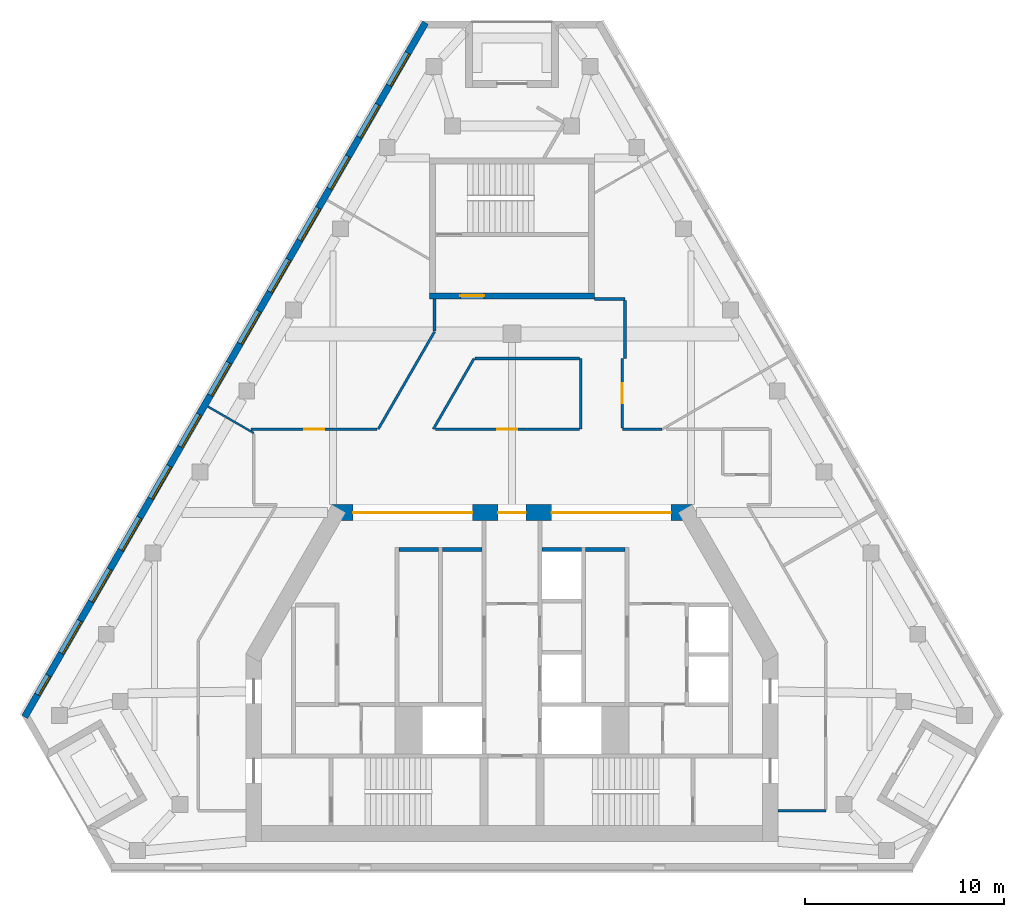
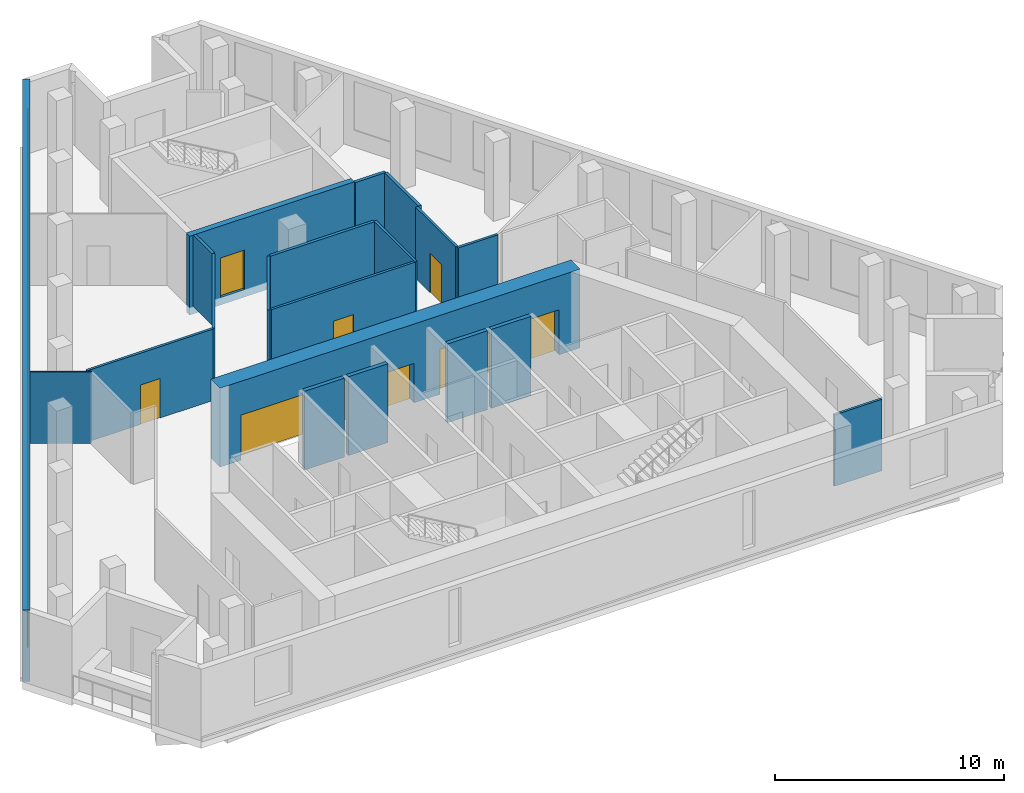
# One storey, part 4 of 8: 20 walls, 13 windows, 7 doors, 20 openings.
"""IFC4 building model written with IfcOpenShell, lengths in metres."""

from ifc_helpers import new_model, si_unit, direction, frame, frame_2d, origin, place, context, subcontext, project, spatial, rectangle, extrude, material, layer, layer_set, type_object, element, fill, save


model = new_model("IFC4")

# Units and contexts
model_context = context("Model", 3, precision=1e-05, world=origin(), true_north=direction((0.0, 1.0)))
body_context = subcontext(model_context, "Body", "Model", "MODEL_VIEW")
ifc_project = project(units=[si_unit("LENGTHUNIT", "METRE"), si_unit("AREAUNIT", "SQUARE_METRE"), si_unit("VOLUMEUNIT", "CUBIC_METRE"), si_unit("PLANEANGLEUNIT", "RADIAN"), si_unit("MASSUNIT", "GRAM", prefix="KILO")], contexts=[model_context])

# Site, building, storey
site_placement = place(None, origin())
site = spatial("IfcSite", under=ifc_project, at=site_placement, CompositionType="ELEMENT")
building_placement = place(site_placement, origin())
building = spatial("IfcBuilding", under=site, at=building_placement, Name="Fogline Exchange Tower", CompositionType="ELEMENT")
storey_placement = place(building_placement, frame((0.0, 0.0, 314.10009765625)))
storey = spatial("IfcBuildingStorey", under=building, at=storey_placement, Name="L71", CompositionType="ELEMENT", Elevation=314.10009765625)

# Walls
ifc_material_1 = material(Name="Concrete C40", Category="concrete")
ifc_layer_1 = layer(ifc_material_1, 0.199951171875)
ifc_layer_set_1 = layer_set([ifc_layer_1], Name="CW20S")
wall_type_1 = type_object("IfcWallType", Name="CW20S", PredefinedType="SOLIDWALL", material=ifc_layer_set_1)
for number, where, z_axis, x_axis, name in (
    (1, (-5.699951171875, 16.14990234375, -0.400146484375), (0.0, 0.0, 1.0), (1.0, 0.0, 0.0), "Lift shaft wall"),
    (2, (-3.5, 16.14990234375, -0.400146484375), (0.0, 0.0, 1.0), (1.0, 0.0, 0.0), "Lift shaft wall"),
    (3, (3.699951171875, 16.14990234375, -0.400146484375), (0.0, 0.0, 1.0), (1.0, 0.0, 0.0), "Lift shaft wall"),
    (4, (1.5, 16.14990234375, -0.400146484375), (0.0, 0.0, 1.0), (1.0, 0.0, 0.0), "Lift shaft wall"),
):
    element("IfcWall", number, at=place(storey_placement, frame(where, z_axis=z_axis, x_axis=x_axis)), inside=storey, type_object=wall_type_1, Name=name, PredefinedType="SOLIDWALL", context=body_context, shape_type="SweptSolid", body=[
        extrude(rectangle(XDim=2.0, YDim=0.199951171875, at=frame_2d((1.0, 0.0))), origin(), (0.0, 0.0, 1.0), 4.199951171875),
    ])

# Wall, opening, door
ifc_layer_2 = layer(ifc_material_1, 0.300048828125)
ifc_layer_set_2 = layer_set([ifc_layer_2], Name="CW30")
wall_type_2 = type_object("IfcWallType", Name="CW30", PredefinedType="SOLIDWALL", material=ifc_layer_set_2)
wall_1_placement = place(storey_placement, frame((-4.14990234375, 28.906982421875, -0.400146484375), z_axis=(0.0, 0.0, 1.0), x_axis=(1.0, 0.0, 0.0)))
wall_1 = element("IfcWall", 5, at=wall_1_placement, inside=storey, type_object=wall_type_2, Name="Stair enclosure wall ST3", PredefinedType="SOLIDWALL", context=body_context, shape_type="SweptSolid", body=[
    extrude(rectangle(XDim=8.2998046875, YDim=0.300048828125, at=frame_2d((4.14990234375, 0.0))), origin(), (0.0, 0.0, 1.0), 4.199951171875),
])
opening_1_placement = place(wall_1_placement, frame((1.550048828125, 0.0, 0.39990234375)))
opening_1 = element("IfcOpeningElement", 6, at=opening_1_placement, cuts=wall_1, Name="Opening T22-C022", PredefinedType="OPENING", context=body_context, shape_type="SweptSolid", body=[
    extrude(rectangle(XDim=1.199951171875, YDim=2.10009765625, at=frame_2d((0.60009765625, 1.050048828125))), frame((0.0, 0.16015625, 0.0), z_axis=(0.0, -1.0, 0.0), x_axis=(1.0, 0.0, 0.0)), (0.0, 0.0, 1.0), 0.320068359375),
])
ifc_material_2 = material(Name="Steel and timber fire door", Category="steel")
door_type_1 = type_object("IfcDoorType", Name="D-FR1", OperationType="SINGLE_SWING_RIGHT", PredefinedType="DOOR", material=ifc_material_2)
door_1_placement = place(opening_1_placement, origin())
door_1 = element("IfcDoor", 7, at=door_1_placement, inside=storey, type_object=door_type_1, Name="Front room door ST3", OperationType="SINGLE_SWING_LEFT", OverallHeight=2.10009765625, OverallWidth=1.199951171875, PredefinedType="DOOR", context=body_context, shape_type="SweptSolid", body=[
    extrude(rectangle(XDim=1.199951171875, YDim=2.10009765625, at=frame_2d((0.60009765625, 1.050048828125))), frame((0.0, 0.02490234375, 0.0), z_axis=(0.0, -1.0, 0.0), x_axis=(1.0, 0.0, 0.0)), (0.0, 0.0, 1.0), 0.050048828125),
])
fill(opening_1, door_1)

# Wall, openings, windows
ifc_material_3 = material(Name="Brick masonry", Category="masonry")
ifc_layer_3 = layer(ifc_material_3, 0.340087890625)
ifc_layer_set_3 = layer_set([ifc_layer_3], Name="FW1")
wall_type_3 = type_object("IfcWallType", Name="FW1", PredefinedType="SOLIDWALL", material=ifc_layer_set_3)
wall_2_placement = place(storey_placement, frame((-4.352783203125, 42.66162109375, 0.0), z_axis=(0.0, 0.0, 1.0), x_axis=(-0.499998406252, -0.866026323933, 0.0)))
wall_2 = element("IfcWall", 8, at=wall_2_placement, inside=storey, type_object=wall_type_3, Name="Brick wall L71 W", PredefinedType="SOLIDWALL", context=body_context, shape_type="SweptSolid", body=[
    extrude(rectangle(XDim=40.359619140625, YDim=0.340087890625, at=frame_2d((20.1796875, 0.0))), origin(), (0.0, 0.0, 1.0), 3.7998046875),
])
opening_2_placement = place(wall_2_placement, frame((1.769775390625, 0.0, 0.89990234375)))
opening_2 = element("IfcOpeningElement", 9, at=opening_2_placement, cuts=wall_2, Name="Opening W3", PredefinedType="OPENING", context=body_context, shape_type="SweptSolid", body=[
    extrude(rectangle(XDim=1.885009765625, YDim=2.60009765625, at=frame_2d((0.9423828125, 1.300048828125))), frame((0.0, 0.18017578125, 0.0), z_axis=(0.0, -1.0, 0.0), x_axis=(1.0, 0.0, 0.0)), (0.0, 0.0, 1.0), 0.360107421875),
])
opening_3_placement = place(wall_2_placement, frame((4.769775390625, 0.0, 0.89990234375)))
opening_3 = element("IfcOpeningElement", 10, at=opening_3_placement, cuts=wall_2, Name="Opening W3", PredefinedType="OPENING", context=body_context, shape_type="SweptSolid", body=[
    extrude(rectangle(XDim=1.885009765625, YDim=2.60009765625, at=frame_2d((0.9423828125, 1.300048828125))), frame((0.0, 0.18017578125, 0.0), z_axis=(0.0, -1.0, 0.0), x_axis=(1.0, 0.0, 0.0)), (0.0, 0.0, 1.0), 0.360107421875),
])
opening_4_placement = place(wall_2_placement, frame((7.769775390625, 0.0, 0.89990234375)))
opening_4 = element("IfcOpeningElement", 11, at=opening_4_placement, cuts=wall_2, Name="Opening W3", PredefinedType="OPENING", context=body_context, shape_type="SweptSolid", body=[
    extrude(rectangle(XDim=1.885009765625, YDim=2.60009765625, at=frame_2d((0.9423828125, 1.300048828125))), frame((0.0, 0.18017578125, 0.0), z_axis=(0.0, -1.0, 0.0), x_axis=(1.0, 0.0, 0.0)), (0.0, 0.0, 1.0), 0.360107421875),
])
opening_5_placement = place(wall_2_placement, frame((10.769775390625, 0.0, 0.89990234375)))
opening_5 = element("IfcOpeningElement", 12, at=opening_5_placement, cuts=wall_2, Name="Opening W3", PredefinedType="OPENING", context=body_context, shape_type="SweptSolid", body=[
    extrude(rectangle(XDim=1.885009765625, YDim=2.60009765625, at=frame_2d((0.9423828125, 1.300048828125))), frame((0.0, 0.18017578125, 0.0), z_axis=(0.0, -1.0, 0.0), x_axis=(1.0, 0.0, 0.0)), (0.0, 0.0, 1.0), 0.360107421875),
])
opening_6_placement = place(wall_2_placement, frame((13.769775390625, 0.0, 0.89990234375)))
opening_6 = element("IfcOpeningElement", 13, at=opening_6_placement, cuts=wall_2, Name="Opening W3", PredefinedType="OPENING", context=body_context, shape_type="SweptSolid", body=[
    extrude(rectangle(XDim=1.885009765625, YDim=2.60009765625, at=frame_2d((0.9423828125, 1.300048828125))), frame((0.0, 0.18017578125, 0.0), z_axis=(0.0, -1.0, 0.0), x_axis=(1.0, 0.0, 0.0)), (0.0, 0.0, 1.0), 0.360107421875),
])
opening_7_placement = place(wall_2_placement, frame((16.769775390625, 0.0, 0.89990234375)))
opening_7 = element("IfcOpeningElement", 14, at=opening_7_placement, cuts=wall_2, Name="Opening W3", PredefinedType="OPENING", context=body_context, shape_type="SweptSolid", body=[
    extrude(rectangle(XDim=1.885009765625, YDim=2.60009765625, at=frame_2d((0.9423828125, 1.300048828125))), frame((0.0, 0.18017578125, 0.0), z_axis=(0.0, -1.0, 0.0), x_axis=(1.0, 0.0, 0.0)), (0.0, 0.0, 1.0), 0.360107421875),
])
opening_8_placement = place(wall_2_placement, frame((19.769775390625, 0.0, 0.89990234375)))
opening_8 = element("IfcOpeningElement", 15, at=opening_8_placement, cuts=wall_2, Name="Opening W3", PredefinedType="OPENING", context=body_context, shape_type="SweptSolid", body=[
    extrude(rectangle(XDim=1.885009765625, YDim=2.60009765625, at=frame_2d((0.9423828125, 1.300048828125))), frame((0.0, 0.18017578125, 0.0), z_axis=(0.0, -1.0, 0.0), x_axis=(1.0, 0.0, 0.0)), (0.0, 0.0, 1.0), 0.360107421875),
])
opening_9_placement = place(wall_2_placement, frame((22.769775390625, 0.0, 0.89990234375)))
opening_9 = element("IfcOpeningElement", 16, at=opening_9_placement, cuts=wall_2, Name="Opening W3", PredefinedType="OPENING", context=body_context, shape_type="SweptSolid", body=[
    extrude(rectangle(XDim=1.885009765625, YDim=2.60009765625, at=frame_2d((0.9423828125, 1.300048828125))), frame((0.0, 0.18017578125, 0.0), z_axis=(0.0, -1.0, 0.0), x_axis=(1.0, 0.0, 0.0)), (0.0, 0.0, 1.0), 0.360107421875),
])
opening_10_placement = place(wall_2_placement, frame((25.769775390625, 0.0, 0.89990234375)))
opening_10 = element("IfcOpeningElement", 17, at=opening_10_placement, cuts=wall_2, Name="Opening W3", PredefinedType="OPENING", context=body_context, shape_type="SweptSolid", body=[
    extrude(rectangle(XDim=1.885009765625, YDim=2.60009765625, at=frame_2d((0.9423828125, 1.300048828125))), frame((0.0, 0.18017578125, 0.0), z_axis=(0.0, -1.0, 0.0), x_axis=(1.0, 0.0, 0.0)), (0.0, 0.0, 1.0), 0.360107421875),
])
opening_11_placement = place(wall_2_placement, frame((28.769775390625, 0.0, 0.89990234375)))
opening_11 = element("IfcOpeningElement", 18, at=opening_11_placement, cuts=wall_2, Name="Opening W3", PredefinedType="OPENING", context=body_context, shape_type="SweptSolid", body=[
    extrude(rectangle(XDim=1.885009765625, YDim=2.60009765625, at=frame_2d((0.9423828125, 1.300048828125))), frame((0.0, 0.18017578125, 0.0), z_axis=(0.0, -1.0, 0.0), x_axis=(1.0, 0.0, 0.0)), (0.0, 0.0, 1.0), 0.360107421875),
])
opening_12_placement = place(wall_2_placement, frame((31.769775390625, 0.0, 0.89990234375)))
opening_12 = element("IfcOpeningElement", 19, at=opening_12_placement, cuts=wall_2, Name="Opening W3", PredefinedType="OPENING", context=body_context, shape_type="SweptSolid", body=[
    extrude(rectangle(XDim=1.885009765625, YDim=2.60009765625, at=frame_2d((0.9423828125, 1.300048828125))), frame((0.0, 0.18017578125, 0.0), z_axis=(0.0, -1.0, 0.0), x_axis=(1.0, 0.0, 0.0)), (0.0, 0.0, 1.0), 0.360107421875),
])
opening_13_placement = place(wall_2_placement, frame((34.769775390625, 0.0, 0.89990234375)))
opening_13 = element("IfcOpeningElement", 20, at=opening_13_placement, cuts=wall_2, Name="Opening W3", PredefinedType="OPENING", context=body_context, shape_type="SweptSolid", body=[
    extrude(rectangle(XDim=1.885009765625, YDim=2.60009765625, at=frame_2d((0.9423828125, 1.300048828125))), frame((0.0, 0.18017578125, 0.0), z_axis=(0.0, -1.0, 0.0), x_axis=(1.0, 0.0, 0.0)), (0.0, 0.0, 1.0), 0.360107421875),
])
opening_14_placement = place(wall_2_placement, frame((37.94970703125, 0.0, 0.89990234375)))
opening_14 = element("IfcOpeningElement", 21, at=opening_14_placement, cuts=wall_2, Name="Opening W4", PredefinedType="OPENING", context=body_context, shape_type="SweptSolid", body=[
    extrude(rectangle(XDim=1.114990234375, YDim=2.39990234375, at=frame_2d((0.5576171875, 1.199951171875))), frame((0.0, 0.18017578125, 0.0), z_axis=(0.0, -1.0, 0.0), x_axis=(1.0, 0.0, 0.0)), (0.0, 0.0, 1.0), 0.360107421875),
])
ifc_material_4 = material(Name="Aluminium and glass", Category="aluminium")
window_type_1 = type_object("IfcWindowType", Name="W3", PartitioningType="SINGLE_PANEL", PredefinedType="WINDOW", material=ifc_material_4)
window_1_placement = place(opening_2_placement, origin())
window_1 = element("IfcWindow", 22, at=window_1_placement, inside=storey, type_object=window_type_1, Name="W3 W3", OverallHeight=2.60009765625, OverallWidth=1.885009765625, PartitioningType="SINGLE_PANEL", PredefinedType="WINDOW", context=body_context, shape_type="SweptSolid", body=[
    extrude(rectangle(XDim=1.885009765625, YDim=2.60009765625, at=frame_2d((0.9423828125, 1.300048828125))), frame((0.0, 0.110107421875, 0.0), z_axis=(0.0, -1.0, 0.0), x_axis=(1.0, 0.0, 0.0)), (0.0, 0.0, 1.0), 0.06005859375),
])
fill(opening_2, window_1)
window_2_placement = place(opening_3_placement, origin())
window_2 = element("IfcWindow", 23, at=window_2_placement, inside=storey, type_object=window_type_1, Name="W3 W3", OverallHeight=2.60009765625, OverallWidth=1.885009765625, PartitioningType="SINGLE_PANEL", PredefinedType="WINDOW", context=body_context, shape_type="SweptSolid", body=[
    extrude(rectangle(XDim=1.885009765625, YDim=2.60009765625, at=frame_2d((0.9423828125, 1.300048828125))), frame((0.0, 0.110107421875, 0.0), z_axis=(0.0, -1.0, 0.0), x_axis=(1.0, 0.0, 0.0)), (0.0, 0.0, 1.0), 0.06005859375),
])
fill(opening_3, window_2)
window_3_placement = place(opening_4_placement, origin())
window_3 = element("IfcWindow", 24, at=window_3_placement, inside=storey, type_object=window_type_1, Name="W3 W3", OverallHeight=2.60009765625, OverallWidth=1.885009765625, PartitioningType="SINGLE_PANEL", PredefinedType="WINDOW", context=body_context, shape_type="SweptSolid", body=[
    extrude(rectangle(XDim=1.885009765625, YDim=2.60009765625, at=frame_2d((0.9423828125, 1.300048828125))), frame((0.0, 0.110107421875, 0.0), z_axis=(0.0, -1.0, 0.0), x_axis=(1.0, 0.0, 0.0)), (0.0, 0.0, 1.0), 0.06005859375),
])
fill(opening_4, window_3)
window_4_placement = place(opening_5_placement, origin())
window_4 = element("IfcWindow", 25, at=window_4_placement, inside=storey, type_object=window_type_1, Name="W3 W3", OverallHeight=2.60009765625, OverallWidth=1.885009765625, PartitioningType="SINGLE_PANEL", PredefinedType="WINDOW", context=body_context, shape_type="SweptSolid", body=[
    extrude(rectangle(XDim=1.885009765625, YDim=2.60009765625, at=frame_2d((0.9423828125, 1.300048828125))), frame((0.0, 0.110107421875, 0.0), z_axis=(0.0, -1.0, 0.0), x_axis=(1.0, 0.0, 0.0)), (0.0, 0.0, 1.0), 0.06005859375),
])
fill(opening_5, window_4)
window_5_placement = place(opening_6_placement, origin())
window_5 = element("IfcWindow", 26, at=window_5_placement, inside=storey, type_object=window_type_1, Name="W3 W3", OverallHeight=2.60009765625, OverallWidth=1.885009765625, PartitioningType="SINGLE_PANEL", PredefinedType="WINDOW", context=body_context, shape_type="SweptSolid", body=[
    extrude(rectangle(XDim=1.885009765625, YDim=2.60009765625, at=frame_2d((0.9423828125, 1.300048828125))), frame((0.0, 0.110107421875, 0.0), z_axis=(0.0, -1.0, 0.0), x_axis=(1.0, 0.0, 0.0)), (0.0, 0.0, 1.0), 0.06005859375),
])
fill(opening_6, window_5)
window_6_placement = place(opening_7_placement, origin())
window_6 = element("IfcWindow", 27, at=window_6_placement, inside=storey, type_object=window_type_1, Name="W3 W3", OverallHeight=2.60009765625, OverallWidth=1.885009765625, PartitioningType="SINGLE_PANEL", PredefinedType="WINDOW", context=body_context, shape_type="SweptSolid", body=[
    extrude(rectangle(XDim=1.885009765625, YDim=2.60009765625, at=frame_2d((0.9423828125, 1.300048828125))), frame((0.0, 0.110107421875, 0.0), z_axis=(0.0, -1.0, 0.0), x_axis=(1.0, 0.0, 0.0)), (0.0, 0.0, 1.0), 0.06005859375),
])
fill(opening_7, window_6)
window_7_placement = place(opening_8_placement, origin())
window_7 = element("IfcWindow", 28, at=window_7_placement, inside=storey, type_object=window_type_1, Name="W3 W3", OverallHeight=2.60009765625, OverallWidth=1.885009765625, PartitioningType="SINGLE_PANEL", PredefinedType="WINDOW", context=body_context, shape_type="SweptSolid", body=[
    extrude(rectangle(XDim=1.885009765625, YDim=2.60009765625, at=frame_2d((0.9423828125, 1.300048828125))), frame((0.0, 0.110107421875, 0.0), z_axis=(0.0, -1.0, 0.0), x_axis=(1.0, 0.0, 0.0)), (0.0, 0.0, 1.0), 0.06005859375),
])
fill(opening_8, window_7)
window_8_placement = place(opening_9_placement, origin())
window_8 = element("IfcWindow", 29, at=window_8_placement, inside=storey, type_object=window_type_1, Name="W3 W3", OverallHeight=2.60009765625, OverallWidth=1.885009765625, PartitioningType="SINGLE_PANEL", PredefinedType="WINDOW", context=body_context, shape_type="SweptSolid", body=[
    extrude(rectangle(XDim=1.885009765625, YDim=2.60009765625, at=frame_2d((0.9423828125, 1.300048828125))), frame((0.0, 0.110107421875, 0.0), z_axis=(0.0, -1.0, 0.0), x_axis=(1.0, 0.0, 0.0)), (0.0, 0.0, 1.0), 0.06005859375),
])
fill(opening_9, window_8)
window_9_placement = place(opening_10_placement, origin())
window_9 = element("IfcWindow", 30, at=window_9_placement, inside=storey, type_object=window_type_1, Name="W3 W3", OverallHeight=2.60009765625, OverallWidth=1.885009765625, PartitioningType="SINGLE_PANEL", PredefinedType="WINDOW", context=body_context, shape_type="SweptSolid", body=[
    extrude(rectangle(XDim=1.885009765625, YDim=2.60009765625, at=frame_2d((0.9423828125, 1.300048828125))), frame((0.0, 0.110107421875, 0.0), z_axis=(0.0, -1.0, 0.0), x_axis=(1.0, 0.0, 0.0)), (0.0, 0.0, 1.0), 0.06005859375),
])
fill(opening_10, window_9)
window_10_placement = place(opening_11_placement, origin())
window_10 = element("IfcWindow", 31, at=window_10_placement, inside=storey, type_object=window_type_1, Name="W3 W3", OverallHeight=2.60009765625, OverallWidth=1.885009765625, PartitioningType="SINGLE_PANEL", PredefinedType="WINDOW", context=body_context, shape_type="SweptSolid", body=[
    extrude(rectangle(XDim=1.885009765625, YDim=2.60009765625, at=frame_2d((0.9423828125, 1.300048828125))), frame((0.0, 0.110107421875, 0.0), z_axis=(0.0, -1.0, 0.0), x_axis=(1.0, 0.0, 0.0)), (0.0, 0.0, 1.0), 0.06005859375),
])
fill(opening_11, window_10)
window_11_placement = place(opening_12_placement, origin())
window_11 = element("IfcWindow", 32, at=window_11_placement, inside=storey, type_object=window_type_1, Name="W3 W3", OverallHeight=2.60009765625, OverallWidth=1.885009765625, PartitioningType="SINGLE_PANEL", PredefinedType="WINDOW", context=body_context, shape_type="SweptSolid", body=[
    extrude(rectangle(XDim=1.885009765625, YDim=2.60009765625, at=frame_2d((0.9423828125, 1.300048828125))), frame((0.0, 0.110107421875, 0.0), z_axis=(0.0, -1.0, 0.0), x_axis=(1.0, 0.0, 0.0)), (0.0, 0.0, 1.0), 0.06005859375),
])
fill(opening_12, window_11)
window_12_placement = place(opening_13_placement, origin())
window_12 = element("IfcWindow", 33, at=window_12_placement, inside=storey, type_object=window_type_1, Name="W3 W3", OverallHeight=2.60009765625, OverallWidth=1.885009765625, PartitioningType="SINGLE_PANEL", PredefinedType="WINDOW", context=body_context, shape_type="SweptSolid", body=[
    extrude(rectangle(XDim=1.885009765625, YDim=2.60009765625, at=frame_2d((0.9423828125, 1.300048828125))), frame((0.0, 0.110107421875, 0.0), z_axis=(0.0, -1.0, 0.0), x_axis=(1.0, 0.0, 0.0)), (0.0, 0.0, 1.0), 0.06005859375),
])
fill(opening_13, window_12)
window_type_2 = type_object("IfcWindowType", Name="W4", PartitioningType="SINGLE_PANEL", PredefinedType="WINDOW", material=ifc_material_4)
window_13_placement = place(opening_14_placement, origin())
window_13 = element("IfcWindow", 34, at=window_13_placement, inside=storey, type_object=window_type_2, Name="W4 W4", OverallHeight=2.39990234375, OverallWidth=1.114990234375, PartitioningType="SINGLE_PANEL", PredefinedType="WINDOW", context=body_context, shape_type="SweptSolid", body=[
    extrude(rectangle(XDim=1.114990234375, YDim=2.39990234375, at=frame_2d((0.5576171875, 1.199951171875))), frame((0.0, 0.110107421875, 0.0), z_axis=(0.0, -1.0, 0.0), x_axis=(1.0, 0.0, 0.0)), (0.0, 0.0, 1.0), 0.06005859375),
])
fill(opening_14, window_13)

# Walls
ifc_material_5 = material(Name="Plasterboard partition, 2 layers each side on steel studs", Category="steel")
ifc_layer_4 = layer(ifc_material_5, 0.10009765625)
ifc_layer_set_4 = layer_set([ifc_layer_4], Name="PW1")
wall_type_4 = type_object("IfcWallType", Name="PW1", PredefinedType="PARTITIONING", material=ifc_layer_set_4)
wall_3_placement = place(storey_placement, frame((-13.0, 22.005615234375, 0.0), z_axis=(0.0, 0.0, 1.0), x_axis=(-0.865999751816, 0.500044427881, 0.0)))
element("IfcWall", 35, at=wall_3_placement, inside=storey, type_object=wall_type_4, Name="wall-L71-W034", PredefinedType="PARTITIONING", context=body_context, shape_type="SweptSolid", body=[
    extrude(rectangle(XDim=2.669189453125, YDim=0.10009765625, at=frame_2d((1.33447265625, 0.0))), origin(), (0.0, 0.0, 1.0), 3.7998046875),
])
ifc_material_6 = material(Name="Plasterboard corridor partition with mineral wool, 2 layers each side")
ifc_layer_5 = layer(ifc_material_6, 0.125)
ifc_layer_set_5 = layer_set([ifc_layer_5], Name="PW2")
wall_type_5 = type_object("IfcWallType", Name="PW2", PredefinedType="PARTITIONING", material=ifc_layer_set_5)
wall_4_placement = place(storey_placement, frame((15.800048828125, 3.0, 0.0), z_axis=(0.0, 0.0, 1.0), x_axis=(-1.0, 0.0, 0.0)))
element("IfcWall", 36, at=wall_4_placement, inside=storey, type_object=wall_type_5, Name="wall-L71-W004", PredefinedType="PARTITIONING", context=body_context, shape_type="SweptSolid", body=[
    extrude(rectangle(XDim=2.400146484375, YDim=0.125, at=frame_2d((1.2001953125, 0.0))), origin(), (0.0, 0.0, 1.0), 3.7998046875),
])
wall_5_placement = place(storey_placement, frame((5.550048828125, 22.199951171875, 0.0), z_axis=(0.0, 0.0, 1.0), x_axis=(1.0, 0.0, 0.0)))
element("IfcWall", 37, at=wall_5_placement, inside=storey, type_object=wall_type_5, Name="wall-L71-W010", PredefinedType="PARTITIONING", context=body_context, shape_type="SweptSolid", body=[
    extrude(rectangle(XDim=1.990966796875, YDim=0.125, at=frame_2d((0.99560546875, 0.0))), origin(), (0.0, 0.0, 1.0), 3.7998046875),
])

# Wall, opening, door
wall_6_placement = place(storey_placement, frame((-3.852294921875, 22.199951171875, 0.0), z_axis=(0.0, 0.0, 1.0), x_axis=(1.0, 0.0, 0.0)))
wall_6 = element("IfcWall", 38, at=wall_6_placement, inside=storey, type_object=wall_type_5, Name="wall-L71-W011", PredefinedType="PARTITIONING", context=body_context, shape_type="SweptSolid", body=[
    extrude(rectangle(XDim=7.23974609375, YDim=0.125, at=frame_2d((3.619873046875, 0.0))), origin(), (0.0, 0.0, 1.0), 3.7998046875),
])
opening_15_placement = place(wall_6_placement, frame((3.119873046875, 0.0, 0.0)))
opening_15 = element("IfcOpeningElement", 39, at=opening_15_placement, cuts=wall_6, Name="Opening T22-D004", PredefinedType="OPENING", context=body_context, shape_type="SweptSolid", body=[
    extrude(rectangle(XDim=1.0, YDim=2.10009765625, at=frame_2d((0.5, 1.050048828125))), frame((0.0, 0.072509765625, 0.0), z_axis=(0.0, -1.0, 0.0), x_axis=(1.0, 0.0, 0.0)), (0.0, 0.0, 1.0), 0.14501953125),
])
ifc_material_7 = material(Name="Fire-rated timber door leaf with steel frame", Category="steel")
door_type_2 = type_object("IfcDoorType", Name="D3", OperationType="SINGLE_SWING_LEFT", PredefinedType="DOOR", material=ifc_material_7)
door_2_placement = place(opening_15_placement, origin())
door_2 = element("IfcDoor", 40, at=door_2_placement, inside=storey, type_object=door_type_2, Name="door-L71-D004", OperationType="SINGLE_SWING_LEFT", OverallHeight=2.10009765625, OverallWidth=1.0, PredefinedType="DOOR", context=body_context, shape_type="SweptSolid", body=[
    extrude(rectangle(XDim=1.0, YDim=2.10009765625, at=frame_2d((0.5, 1.050048828125))), frame((0.0, 0.02490234375, 0.0), z_axis=(0.0, -1.0, 0.0), x_axis=(1.0, 0.0, 0.0)), (0.0, 0.0, 1.0), 0.050048828125),
])
fill(opening_15, door_2)

wall_7_placement = place(storey_placement, frame((-13.12890625, 22.199951171875, 0.0), z_axis=(0.0, 0.0, 1.0), x_axis=(1.0, 0.0, 0.0)))
wall_7 = element("IfcWall", 41, at=wall_7_placement, inside=storey, type_object=wall_type_5, Name="wall-L71-W012", PredefinedType="PARTITIONING", context=body_context, shape_type="SweptSolid", body=[
    extrude(rectangle(XDim=6.34228515625, YDim=0.125, at=frame_2d((3.171142578125, 0.0))), origin(), (0.0, 0.0, 1.0), 3.7998046875),
])
opening_16_placement = place(wall_7_placement, frame((2.671142578125, 0.0, 0.0)))
opening_16 = element("IfcOpeningElement", 42, at=opening_16_placement, cuts=wall_7, Name="Opening T22-D005", PredefinedType="OPENING", context=body_context, shape_type="SweptSolid", body=[
    extrude(rectangle(XDim=1.0, YDim=2.10009765625, at=frame_2d((0.5, 1.050048828125))), frame((0.0, 0.072509765625, 0.0), z_axis=(0.0, -1.0, 0.0), x_axis=(1.0, 0.0, 0.0)), (0.0, 0.0, 1.0), 0.14501953125),
])
door_3_placement = place(opening_16_placement, origin())
door_3 = element("IfcDoor", 43, at=door_3_placement, inside=storey, type_object=door_type_2, Name="door-L71-D005", OperationType="SINGLE_SWING_LEFT", OverallHeight=2.10009765625, OverallWidth=1.0, PredefinedType="DOOR", context=body_context, shape_type="SweptSolid", body=[
    extrude(rectangle(XDim=1.0, YDim=2.10009765625, at=frame_2d((0.5, 1.050048828125))), frame((0.0, 0.02490234375, 0.0), z_axis=(0.0, -1.0, 0.0), x_axis=(1.0, 0.0, 0.0)), (0.0, 0.0, 1.0), 0.050048828125),
])
fill(opening_16, door_3)

wall_8_placement = place(storey_placement, frame((5.550048828125, 25.757080078125, 0.0), z_axis=(0.0, 0.0, 1.0), x_axis=(0.0, -1.0, 0.0)))
wall_8 = element("IfcWall", 44, at=wall_8_placement, inside=storey, type_object=wall_type_5, Name="wall-L71-W022", PredefinedType="PARTITIONING", context=body_context, shape_type="SweptSolid", body=[
    extrude(rectangle(XDim=3.49462890625, YDim=0.125, at=frame_2d((1.747314453125, 0.0))), origin(), (0.0, 0.0, 1.0), 3.7998046875),
])
opening_17_placement = place(wall_8_placement, frame((1.247314453125, 0.0, 0.0)))
opening_17 = element("IfcOpeningElement", 45, at=opening_17_placement, cuts=wall_8, Name="Opening T22-D007", PredefinedType="OPENING", context=body_context, shape_type="SweptSolid", body=[
    extrude(rectangle(XDim=1.0, YDim=2.10009765625, at=frame_2d((0.5, 1.050048828125))), frame((0.0, 0.072509765625, 0.0), z_axis=(0.0, -1.0, 0.0), x_axis=(1.0, 0.0, 0.0)), (0.0, 0.0, 1.0), 0.14501953125),
])
door_4_placement = place(opening_17_placement, origin())
door_4 = element("IfcDoor", 46, at=door_4_placement, inside=storey, type_object=door_type_2, Name="door-L71-D007", OperationType="SINGLE_SWING_LEFT", OverallHeight=2.10009765625, OverallWidth=1.0, PredefinedType="DOOR", context=body_context, shape_type="SweptSolid", body=[
    extrude(rectangle(XDim=1.0, YDim=2.10009765625, at=frame_2d((0.5, 1.050048828125))), frame((0.0, 0.02490234375, 0.0), z_axis=(0.0, -1.0, 0.0), x_axis=(1.0, 0.0, 0.0)), (0.0, 0.0, 1.0), 0.050048828125),
])
fill(opening_17, door_4)

# Walls
wall_9_placement = place(storey_placement, frame((3.449951171875, 22.199951171875, 0.0), z_axis=(0.0, 0.0, 1.0), x_axis=(0.0, 1.0, 0.0)))
element("IfcWall", 47, at=wall_9_placement, inside=storey, type_object=wall_type_5, Name="wall-L71-W023", PredefinedType="PARTITIONING", context=body_context, shape_type="SweptSolid", body=[
    extrude(rectangle(XDim=3.55712890625, YDim=0.125, at=frame_2d((1.778564453125, 0.0))), origin(), (0.0, 0.0, 1.0), 3.7998046875),
])
wall_10_placement = place(storey_placement, frame((-1.907470703125, 25.757080078125, 0.0), z_axis=(0.0, 0.0, 1.0), x_axis=(-0.500000293238, -0.866025234483, 0.0)))
element("IfcWall", 48, at=wall_10_placement, inside=storey, type_object=wall_type_5, Name="wall-L71-W024", PredefinedType="PARTITIONING", context=body_context, shape_type="SweptSolid", body=[
    extrude(rectangle(XDim=4.107421875, YDim=0.125, at=frame_2d((2.0537109375, 0.0))), origin(), (0.0, 0.0, 1.0), 3.7998046875),
])
wall_11_placement = place(storey_placement, frame((-6.732421875, 22.199951171875, 0.0), z_axis=(0.0, 0.0, 1.0), x_axis=(0.500004730061, 0.866022672865, 0.0)))
element("IfcWall", 49, at=wall_11_placement, inside=storey, type_object=wall_type_5, Name="wall-L71-W025", PredefinedType="PARTITIONING", context=body_context, shape_type="SweptSolid", body=[
    extrude(rectangle(XDim=5.6650390625, YDim=0.125, at=frame_2d((2.83251953125, 0.0))), origin(), (0.0, 0.0, 1.0), 3.7998046875),
])
ifc_material_8 = material(Name="Plasterboard stair lobby partition, 3 layers each side on steel studs", Category="steel")
ifc_layer_6 = layer(ifc_material_8, 0.14990234375)
ifc_layer_set_6 = layer_set([ifc_layer_6], Name="PW4")
wall_type_6 = type_object("IfcWallType", Name="PW4", PredefinedType="PARTITIONING", material=ifc_layer_set_6)
wall_12_placement = place(storey_placement, frame((4.14990234375, 28.757080078125, 0.0), z_axis=(0.0, 0.0, 1.0), x_axis=(1.0, 0.0, 0.0)))
element("IfcWall", 50, at=wall_12_placement, inside=storey, type_object=wall_type_6, Name="wall-L71-W018", PredefinedType="PARTITIONING", context=body_context, shape_type="SweptSolid", body=[
    extrude(rectangle(XDim=1.550048828125, YDim=0.14990234375, at=frame_2d((0.77490234375, 0.0))), origin(), (0.0, 0.0, 1.0), 3.7998046875),
])
wall_13_placement = place(storey_placement, frame((5.699951171875, 28.681884765625, 0.0), z_axis=(0.0, 0.0, 1.0), x_axis=(0.0, -1.0, 0.0)))
element("IfcWall", 51, at=wall_13_placement, inside=storey, type_object=wall_type_6, Name="wall-L71-W019", PredefinedType="PARTITIONING", context=body_context, shape_type="SweptSolid", body=[
    extrude(rectangle(XDim=2.9248046875, YDim=0.14990234375, at=frame_2d((1.46240234375, 0.0))), origin(), (0.0, 0.0, 1.0), 3.7998046875),
])
wall_14_placement = place(storey_placement, frame((3.387451171875, 25.757080078125, 0.0), z_axis=(0.0, 0.0, 1.0), x_axis=(-1.0, 0.0, 0.0)))
element("IfcWall", 52, at=wall_14_placement, inside=storey, type_object=wall_type_6, Name="wall-L71-W020", PredefinedType="PARTITIONING", context=body_context, shape_type="SweptSolid", body=[
    extrude(rectangle(XDim=5.2412109375, YDim=0.14990234375, at=frame_2d((2.62060546875, 0.0))), origin(), (0.0, 0.0, 1.0), 3.7998046875),
])
wall_15_placement = place(storey_placement, frame((-3.89990234375, 27.136962890625, 0.0), z_axis=(0.0, 0.0, 1.0), x_axis=(0.0, 1.0, 0.0)))
element("IfcWall", 53, at=wall_15_placement, inside=storey, type_object=wall_type_6, Name="wall-L71-W021", PredefinedType="PARTITIONING", context=body_context, shape_type="SweptSolid", body=[
    extrude(rectangle(XDim=1.6201171875, YDim=0.14990234375, at=frame_2d((0.81005859375, 0.0))), origin(), (0.0, 0.0, 1.0), 3.7998046875),
])

# Wall, openings, doors
ifc_material_9 = material(Name="Concrete C50", Category="concrete")
ifc_layer_7 = layer(ifc_material_9, 0.800048828125)
ifc_layer_set_7 = layer_set([ifc_layer_7], Name="SW04")
wall_type_7 = type_object("IfcWallType", Name="SW04", PredefinedType="SHEAR", material=ifc_layer_set_7)
wall_16_placement = place(storey_placement, frame((9.065185546875, 18.0, 0.0), z_axis=(0.0, 0.0, 1.0), x_axis=(-1.0, 0.0, 0.0)))
wall_16 = element("IfcWall", 54, at=wall_16_placement, inside=storey, type_object=wall_type_7, Name="L71-W904", PredefinedType="SHEAR", context=body_context, shape_type="SweptSolid", body=[
    extrude(rectangle(XDim=18.13037109375, YDim=0.800048828125, at=frame_2d((9.065185546875, 0.0))), origin(), (0.0, 0.0, 1.0), 4.199951171875),
])
opening_18_placement = place(wall_16_placement, frame((8.364990234375, 0.0, 0.0)))
opening_18 = element("IfcOpeningElement", 55, at=opening_18_placement, cuts=wall_16, Name="Opening T22-C019", PredefinedType="OPENING", context=body_context, shape_type="SweptSolid", body=[
    extrude(rectangle(XDim=1.39990234375, YDim=2.10009765625, at=frame_2d((0.699951171875, 1.050048828125))), frame((0.0, 0.41015625, 0.0), z_axis=(0.0, -1.0, 0.0), x_axis=(1.0, 0.0, 0.0)), (0.0, 0.0, 1.0), 0.820068359375),
])
opening_19_placement = place(wall_16_placement, frame((11.065185546875, 0.0, 0.0)))
opening_19 = element("IfcOpeningElement", 56, at=opening_19_placement, cuts=wall_16, Name="Opening T22-C020", PredefinedType="OPENING", context=body_context, shape_type="SweptSolid", body=[
    extrude(rectangle(XDim=6.0, YDim=2.39990234375, at=frame_2d((3.0, 1.199951171875))), frame((0.0, 0.41015625, 0.0), z_axis=(0.0, -1.0, 0.0), x_axis=(1.0, 0.0, 0.0)), (0.0, 0.0, 1.0), 0.820068359375),
])
opening_20_placement = place(wall_16_placement, frame((1.065185546875, 0.0, 0.0)))
opening_20 = element("IfcOpeningElement", 57, at=opening_20_placement, cuts=wall_16, Name="Opening T22-C021", PredefinedType="OPENING", context=body_context, shape_type="SweptSolid", body=[
    extrude(rectangle(XDim=6.0, YDim=2.39990234375, at=frame_2d((3.0, 1.199951171875))), frame((0.0, 0.41015625, 0.0), z_axis=(0.0, -1.0, 0.0), x_axis=(1.0, 0.0, 0.0)), (0.0, 0.0, 1.0), 0.820068359375),
])
door_type_3 = type_object("IfcDoorType", Name="D-LB1", OperationType="DOUBLE_DOOR_SINGLE_SWING", PredefinedType="DOOR", material=ifc_material_2)
door_5_placement = place(opening_18_placement, origin())
door_5 = element("IfcDoor", 58, at=door_5_placement, inside=storey, type_object=door_type_3, Name="Protected lobby door", OperationType="DOUBLE_DOOR_SINGLE_SWING", OverallHeight=2.10009765625, OverallWidth=1.39990234375, PredefinedType="DOOR", context=body_context, shape_type="SweptSolid", body=[
    extrude(rectangle(XDim=1.39990234375, YDim=2.10009765625, at=frame_2d((0.699951171875, 1.050048828125))), frame((0.0, 0.02490234375, 0.0), z_axis=(0.0, -1.0, 0.0), x_axis=(1.0, 0.0, 0.0)), (0.0, 0.0, 1.0), 0.050048828125),
])
fill(opening_18, door_5)
door_type_4 = type_object("IfcDoorType", Name="D-LE1", OperationType="DOUBLE_DOOR_SLIDING", PredefinedType="DOOR", material=ifc_material_2)
door_6_placement = place(opening_19_placement, origin())
door_6 = element("IfcDoor", 59, at=door_6_placement, inside=storey, type_object=door_type_4, Name="Lift lobby entrance west", OperationType="DOUBLE_DOOR_SLIDING", OverallHeight=2.39990234375, OverallWidth=6.0, PredefinedType="DOOR", context=body_context, shape_type="SweptSolid", body=[
    extrude(rectangle(XDim=6.0, YDim=2.39990234375, at=frame_2d((3.0, 1.199951171875))), frame((0.0, 0.02490234375, 0.0), z_axis=(0.0, -1.0, 0.0), x_axis=(1.0, 0.0, 0.0)), (0.0, 0.0, 1.0), 0.050048828125),
])
fill(opening_19, door_6)
door_7_placement = place(opening_20_placement, origin())
door_7 = element("IfcDoor", 60, at=door_7_placement, inside=storey, type_object=door_type_4, Name="Lift lobby entrance east", OperationType="DOUBLE_DOOR_SLIDING", OverallHeight=2.39990234375, OverallWidth=6.0, PredefinedType="DOOR", context=body_context, shape_type="SweptSolid", body=[
    extrude(rectangle(XDim=6.0, YDim=2.39990234375, at=frame_2d((3.0, 1.199951171875))), frame((0.0, 0.02490234375, 0.0), z_axis=(0.0, -1.0, 0.0), x_axis=(1.0, 0.0, 0.0)), (0.0, 0.0, 1.0), 0.050048828125),
])
fill(opening_20, door_7)

save(model, "model.ifc")
